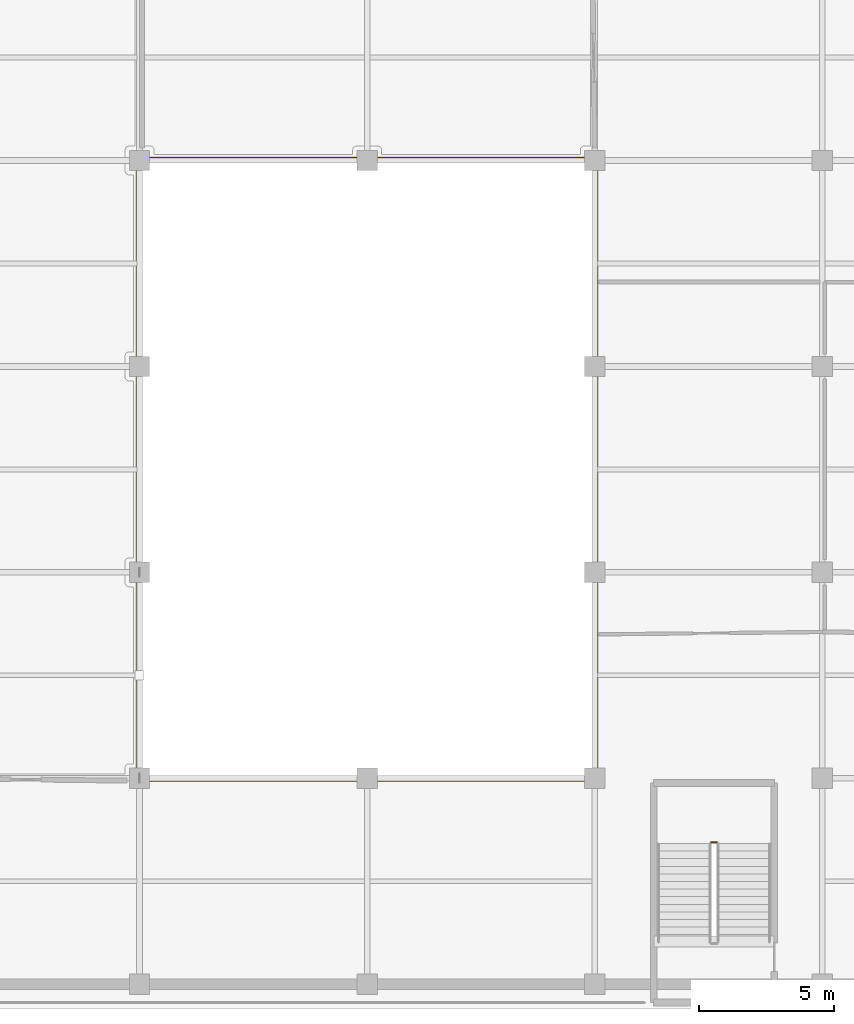
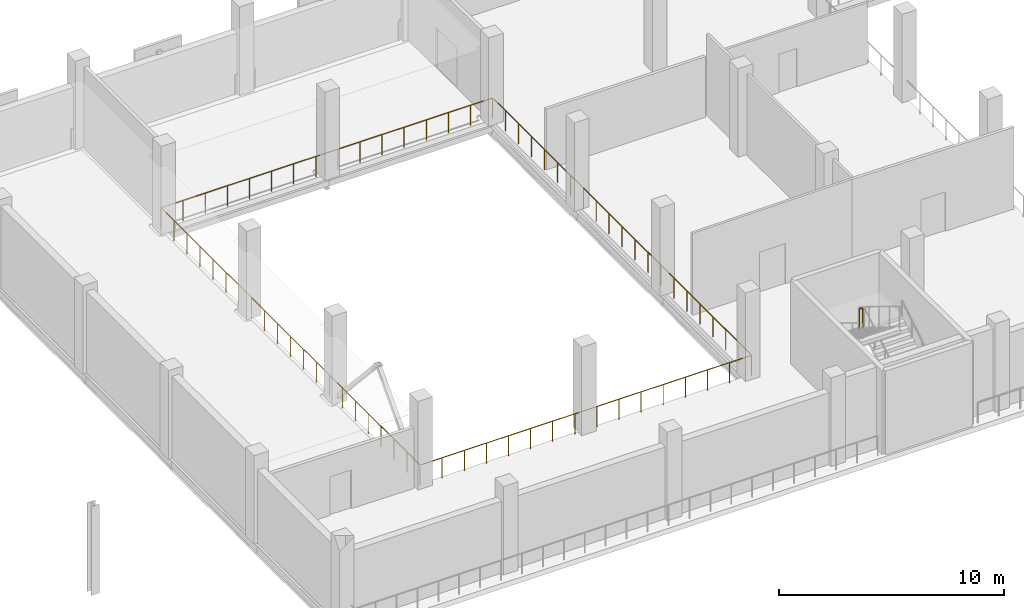
# One storey, part 46 of 51: 2 railings.
"""IFC4 building model written with IfcOpenShell, lengths in metres."""

from ifc_helpers import new_model, si_unit, direction, frame, origin, origin_2d, place, context, subcontext, project, spatial, circle, extrude, material, type_object, element, save


model = new_model("IFC4")

# Units and contexts
model_context = context("Model", 3, precision=1e-05, world=origin(), true_north=direction((0.0, 1.0)))
body_context = subcontext(model_context, "Body", "Model", "MODEL_VIEW")
ifc_project = project(units=[si_unit("LENGTHUNIT", "METRE"), si_unit("AREAUNIT", "SQUARE_METRE"), si_unit("VOLUMEUNIT", "CUBIC_METRE"), si_unit("PLANEANGLEUNIT", "RADIAN"), si_unit("MASSUNIT", "GRAM", prefix="KILO")], contexts=[model_context])

# Site, building, storey
site_placement = place(None, origin())
site = spatial("IfcSite", under=ifc_project, at=site_placement, CompositionType="ELEMENT")
building_placement = place(site_placement, origin())
building = spatial("IfcBuilding", under=site, at=building_placement, Name="Zuvorla Pavilion Media Centre", CompositionType="ELEMENT")
storey_placement = place(building_placement, frame((0.0, 0.0, 4.800048828125)))
storey = spatial("IfcBuildingStorey", under=building, at=storey_placement, Name="L01", CompositionType="ELEMENT", Elevation=4.800048828125)

# Railings
ifc_material = material(Name="Powder-coated steel balustrade guard", Category="steel")
railing_type = type_object("IfcRailingType", Name="RL-INT-GRD", PredefinedType="BALUSTRADE", material=ifc_material)
railing_1_placement = place(storey_placement, frame((96.5, 87.239990234375, 2.39990234375)))
element("IfcRailing", 1, at=railing_1_placement, inside=storey, type_object=railing_type, Name="L01 ST-05 stair guard 2", PredefinedType="BALUSTRADE", context=body_context, shape_type="SweptSolid", body=[
    extrude(circle(Radius=0.02392578125, at=origin_2d()), frame((-0.02880859375, 0.0, 1.09619140625), z_axis=(-1.0, 0.0, 0.0), x_axis=(0.0, -1.0, 0.0)), (0.0, 0.0, 1.0), 0.142333984375),
    extrude(circle(Radius=0.02099609375, at=origin_2d()), origin(), (0.0, 0.0, 1.0), 1.070068359375),
    extrude(circle(Radius=0.02099609375, at=origin_2d()), frame((-0.199951171875, 0.0, 0.0)), (0.0, 0.0, 1.0), 1.070068359375),
])
railing_2_placement = place(storey_placement, frame((75.10009765625, 89.5, 0.0)))
element("IfcRailing", 2, at=railing_2_placement, inside=storey, type_object=railing_type, Name="L01 brdavoid edge guard", PredefinedType="BALUSTRADE", context=body_context, shape_type="SweptSolid", body=[
    extrude(circle(Radius=0.02392578125, at=origin_2d()), frame((0.02880859375, 0.0, 1.09619140625), z_axis=(1.0, 0.0, 0.0), x_axis=(0.0, 1.0, 0.0)), (0.0, 0.0, 1.0), 16.9423828125),
    extrude(circle(Radius=0.02392578125, at=origin_2d()), frame((17.0, 0.02880859375, 1.09619140625), z_axis=(0.0, 1.0, 0.0), x_axis=(-1.0, 0.0, 0.0)), (0.0, 0.0, 1.0), 22.9423828125),
    extrude(circle(Radius=0.02392578125, at=origin_2d()), frame((16.97119140625, 23.0, 1.09619140625), z_axis=(-1.0, 0.0, 0.0), x_axis=(0.0, -1.0, 0.0)), (0.0, 0.0, 1.0), 16.9423828125),
    extrude(circle(Radius=0.02392578125, at=origin_2d()), frame((0.0, 22.97119140625, 1.09619140625), z_axis=(0.0, -1.0, 0.0), x_axis=(1.0, 0.0, 0.0)), (0.0, 0.0, 1.0), 22.9423828125),
    extrude(circle(Radius=0.02099609375, at=origin_2d()), origin(), (0.0, 0.0, 1.0), 1.070068359375),
    extrude(circle(Radius=0.02099609375, at=origin_2d()), frame((1.13330078125, 0.0, 0.0)), (0.0, 0.0, 1.0), 1.070068359375),
    extrude(circle(Radius=0.02099609375, at=origin_2d()), frame((2.2666015625, 0.0, 0.0)), (0.0, 0.0, 1.0), 1.070068359375),
    extrude(circle(Radius=0.02099609375, at=origin_2d()), frame((3.39990234375, 0.0, 0.0)), (0.0, 0.0, 1.0), 1.070068359375),
    extrude(circle(Radius=0.02099609375, at=origin_2d()), frame((4.533447265625, 0.0, 0.0)), (0.0, 0.0, 1.0), 1.070068359375),
    extrude(circle(Radius=0.02099609375, at=origin_2d()), frame((5.666748046875, 0.0, 0.0)), (0.0, 0.0, 1.0), 1.070068359375),
    extrude(circle(Radius=0.02099609375, at=origin_2d()), frame((6.800048828125, 0.0, 0.0)), (0.0, 0.0, 1.0), 1.070068359375),
    extrude(circle(Radius=0.02099609375, at=origin_2d()), frame((7.933349609375, 0.0, 0.0)), (0.0, 0.0, 1.0), 1.070068359375),
    extrude(circle(Radius=0.02099609375, at=origin_2d()), frame((9.066650390625, 0.0, 0.0)), (0.0, 0.0, 1.0), 1.070068359375),
    extrude(circle(Radius=0.02099609375, at=origin_2d()), frame((10.199951171875, 0.0, 0.0)), (0.0, 0.0, 1.0), 1.070068359375),
    extrude(circle(Radius=0.02099609375, at=origin_2d()), frame((11.333251953125, 0.0, 0.0)), (0.0, 0.0, 1.0), 1.070068359375),
    extrude(circle(Radius=0.02099609375, at=origin_2d()), frame((12.466552734375, 0.0, 0.0)), (0.0, 0.0, 1.0), 1.070068359375),
    extrude(circle(Radius=0.02099609375, at=origin_2d()), frame((13.60009765625, 0.0, 0.0)), (0.0, 0.0, 1.0), 1.070068359375),
    extrude(circle(Radius=0.02099609375, at=origin_2d()), frame((14.7333984375, 0.0, 0.0)), (0.0, 0.0, 1.0), 1.070068359375),
    extrude(circle(Radius=0.02099609375, at=origin_2d()), frame((15.86669921875, 0.0, 0.0)), (0.0, 0.0, 1.0), 1.070068359375),
    extrude(circle(Radius=0.02099609375, at=origin_2d()), frame((17.0, 0.0, 0.0)), (0.0, 0.0, 1.0), 1.070068359375),
    extrude(circle(Radius=0.02099609375, at=origin_2d()), frame((17.0, 1.14990234375, 0.0)), (0.0, 0.0, 1.0), 1.070068359375),
    extrude(circle(Radius=0.02099609375, at=origin_2d()), frame((17.0, 2.300048828125, 0.0)), (0.0, 0.0, 1.0), 1.070068359375),
    extrude(circle(Radius=0.02099609375, at=origin_2d()), frame((17.0, 3.449951171875, 0.0)), (0.0, 0.0, 1.0), 1.070068359375),
    extrude(circle(Radius=0.02099609375, at=origin_2d()), frame((17.0, 4.60009765625, 0.0)), (0.0, 0.0, 1.0), 1.070068359375),
    extrude(circle(Radius=0.02099609375, at=origin_2d()), frame((17.0, 5.75, 0.0)), (0.0, 0.0, 1.0), 1.070068359375),
    extrude(circle(Radius=0.02099609375, at=origin_2d()), frame((17.0, 6.89990234375, 0.0)), (0.0, 0.0, 1.0), 1.070068359375),
    extrude(circle(Radius=0.02099609375, at=origin_2d()), frame((17.0, 8.050048828125, 0.0)), (0.0, 0.0, 1.0), 1.070068359375),
    extrude(circle(Radius=0.02099609375, at=origin_2d()), frame((17.0, 9.199951171875, 0.0)), (0.0, 0.0, 1.0), 1.070068359375),
    extrude(circle(Radius=0.02099609375, at=origin_2d()), frame((17.0, 10.35009765625, 0.0)), (0.0, 0.0, 1.0), 1.070068359375),
    extrude(circle(Radius=0.02099609375, at=origin_2d()), frame((17.0, 11.5, 0.0)), (0.0, 0.0, 1.0), 1.070068359375),
    extrude(circle(Radius=0.02099609375, at=origin_2d()), frame((17.0, 12.64990234375, 0.0)), (0.0, 0.0, 1.0), 1.070068359375),
    extrude(circle(Radius=0.02099609375, at=origin_2d()), frame((17.0, 13.800048828125, 0.0)), (0.0, 0.0, 1.0), 1.070068359375),
    extrude(circle(Radius=0.02099609375, at=origin_2d()), frame((17.0, 14.949951171875, 0.0)), (0.0, 0.0, 1.0), 1.070068359375),
    extrude(circle(Radius=0.02099609375, at=origin_2d()), frame((17.0, 16.10009765625, 0.0)), (0.0, 0.0, 1.0), 1.070068359375),
    extrude(circle(Radius=0.02099609375, at=origin_2d()), frame((17.0, 17.25, 0.0)), (0.0, 0.0, 1.0), 1.070068359375),
    extrude(circle(Radius=0.02099609375, at=origin_2d()), frame((17.0, 18.39990234375, 0.0)), (0.0, 0.0, 1.0), 1.070068359375),
    extrude(circle(Radius=0.02099609375, at=origin_2d()), frame((17.0, 19.550048828125, 0.0)), (0.0, 0.0, 1.0), 1.070068359375),
    extrude(circle(Radius=0.02099609375, at=origin_2d()), frame((17.0, 20.699951171875, 0.0)), (0.0, 0.0, 1.0), 1.070068359375),
    extrude(circle(Radius=0.02099609375, at=origin_2d()), frame((17.0, 21.85009765625, 0.0)), (0.0, 0.0, 1.0), 1.070068359375),
    extrude(circle(Radius=0.02099609375, at=origin_2d()), frame((17.0, 23.0, 0.0)), (0.0, 0.0, 1.0), 1.070068359375),
    extrude(circle(Radius=0.02099609375, at=origin_2d()), frame((15.86669921875, 23.0, 0.0)), (0.0, 0.0, 1.0), 1.070068359375),
    extrude(circle(Radius=0.02099609375, at=origin_2d()), frame((14.7333984375, 23.0, 0.0)), (0.0, 0.0, 1.0), 1.070068359375),
    extrude(circle(Radius=0.02099609375, at=origin_2d()), frame((13.60009765625, 23.0, 0.0)), (0.0, 0.0, 1.0), 1.070068359375),
    extrude(circle(Radius=0.02099609375, at=origin_2d()), frame((12.466552734375, 23.0, 0.0)), (0.0, 0.0, 1.0), 1.070068359375),
    extrude(circle(Radius=0.02099609375, at=origin_2d()), frame((11.333251953125, 23.0, 0.0)), (0.0, 0.0, 1.0), 1.070068359375),
    extrude(circle(Radius=0.02099609375, at=origin_2d()), frame((10.199951171875, 23.0, 0.0)), (0.0, 0.0, 1.0), 1.070068359375),
    extrude(circle(Radius=0.02099609375, at=origin_2d()), frame((9.066650390625, 23.0, 0.0)), (0.0, 0.0, 1.0), 1.070068359375),
    extrude(circle(Radius=0.02099609375, at=origin_2d()), frame((7.933349609375, 23.0, 0.0)), (0.0, 0.0, 1.0), 1.070068359375),
    extrude(circle(Radius=0.02099609375, at=origin_2d()), frame((6.800048828125, 23.0, 0.0)), (0.0, 0.0, 1.0), 1.070068359375),
    extrude(circle(Radius=0.02099609375, at=origin_2d()), frame((5.666748046875, 23.0, 0.0)), (0.0, 0.0, 1.0), 1.070068359375),
    extrude(circle(Radius=0.02099609375, at=origin_2d()), frame((4.533447265625, 23.0, 0.0)), (0.0, 0.0, 1.0), 1.070068359375),
    extrude(circle(Radius=0.02099609375, at=origin_2d()), frame((3.39990234375, 23.0, 0.0)), (0.0, 0.0, 1.0), 1.070068359375),
    extrude(circle(Radius=0.02099609375, at=origin_2d()), frame((2.2666015625, 23.0, 0.0)), (0.0, 0.0, 1.0), 1.070068359375),
    extrude(circle(Radius=0.02099609375, at=origin_2d()), frame((1.13330078125, 23.0, 0.0)), (0.0, 0.0, 1.0), 1.070068359375),
    extrude(circle(Radius=0.02099609375, at=origin_2d()), frame((0.0, 23.0, 0.0)), (0.0, 0.0, 1.0), 1.070068359375),
    extrude(circle(Radius=0.02099609375, at=origin_2d()), frame((0.0, 21.85009765625, 0.0)), (0.0, 0.0, 1.0), 1.070068359375),
    extrude(circle(Radius=0.02099609375, at=origin_2d()), frame((0.0, 20.699951171875, 0.0)), (0.0, 0.0, 1.0), 1.070068359375),
    extrude(circle(Radius=0.02099609375, at=origin_2d()), frame((0.0, 19.550048828125, 0.0)), (0.0, 0.0, 1.0), 1.070068359375),
    extrude(circle(Radius=0.02099609375, at=origin_2d()), frame((0.0, 18.39990234375, 0.0)), (0.0, 0.0, 1.0), 1.070068359375),
    extrude(circle(Radius=0.02099609375, at=origin_2d()), frame((0.0, 17.25, 0.0)), (0.0, 0.0, 1.0), 1.070068359375),
    extrude(circle(Radius=0.02099609375, at=origin_2d()), frame((0.0, 16.10009765625, 0.0)), (0.0, 0.0, 1.0), 1.070068359375),
    extrude(circle(Radius=0.02099609375, at=origin_2d()), frame((0.0, 14.949951171875, 0.0)), (0.0, 0.0, 1.0), 1.070068359375),
    extrude(circle(Radius=0.02099609375, at=origin_2d()), frame((0.0, 13.800048828125, 0.0)), (0.0, 0.0, 1.0), 1.070068359375),
    extrude(circle(Radius=0.02099609375, at=origin_2d()), frame((0.0, 12.64990234375, 0.0)), (0.0, 0.0, 1.0), 1.070068359375),
    extrude(circle(Radius=0.02099609375, at=origin_2d()), frame((0.0, 11.5, 0.0)), (0.0, 0.0, 1.0), 1.070068359375),
    extrude(circle(Radius=0.02099609375, at=origin_2d()), frame((0.0, 10.35009765625, 0.0)), (0.0, 0.0, 1.0), 1.070068359375),
    extrude(circle(Radius=0.02099609375, at=origin_2d()), frame((0.0, 9.199951171875, 0.0)), (0.0, 0.0, 1.0), 1.070068359375),
    extrude(circle(Radius=0.02099609375, at=origin_2d()), frame((0.0, 8.050048828125, 0.0)), (0.0, 0.0, 1.0), 1.070068359375),
    extrude(circle(Radius=0.02099609375, at=origin_2d()), frame((0.0, 6.89990234375, 0.0)), (0.0, 0.0, 1.0), 1.070068359375),
    extrude(circle(Radius=0.02099609375, at=origin_2d()), frame((0.0, 5.75, 0.0)), (0.0, 0.0, 1.0), 1.070068359375),
    extrude(circle(Radius=0.02099609375, at=origin_2d()), frame((0.0, 4.60009765625, 0.0)), (0.0, 0.0, 1.0), 1.070068359375),
    extrude(circle(Radius=0.02099609375, at=origin_2d()), frame((0.0, 3.449951171875, 0.0)), (0.0, 0.0, 1.0), 1.070068359375),
    extrude(circle(Radius=0.02099609375, at=origin_2d()), frame((0.0, 2.300048828125, 0.0)), (0.0, 0.0, 1.0), 1.070068359375),
    extrude(circle(Radius=0.02099609375, at=origin_2d()), frame((0.0, 1.14990234375, 0.0)), (0.0, 0.0, 1.0), 1.070068359375),
])

save(model, "model.ifc")
